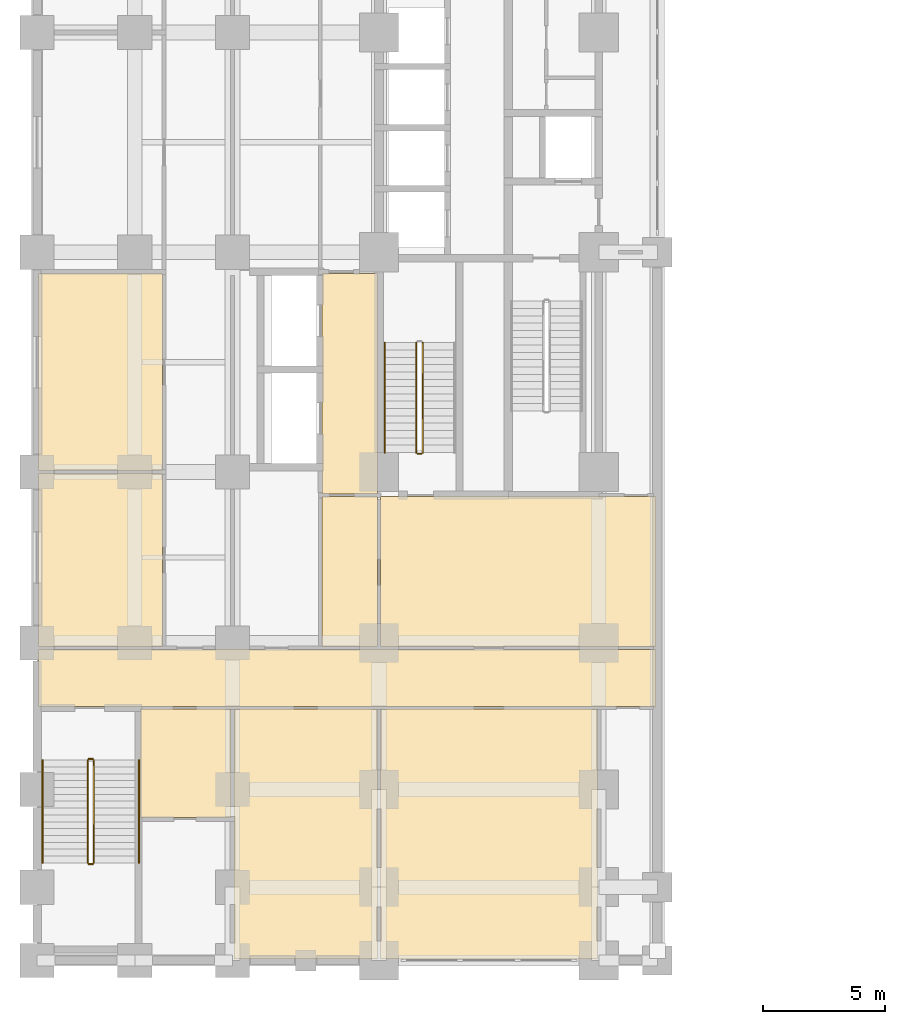
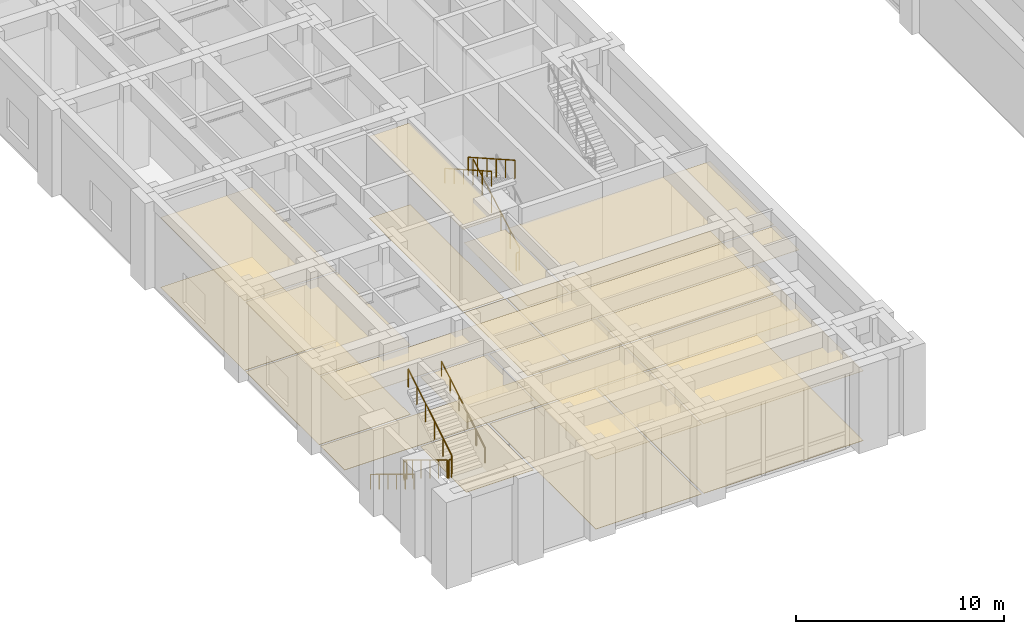
# One storey, part 16 of 21: 18 coverings, 10 railings.
"""IFC4 building model written with IfcOpenShell, lengths in metres."""

from ifc_helpers import new_model, si_unit, direction, frame, origin, origin_2d, place, context, subcontext, project, spatial, polyline, rectangle, outline, extrude, material, layer, layer_set, type_object, element, save


model = new_model("IFC4")

# Units and contexts
model_context = context("Model", 3, precision=1e-05, world=origin(), true_north=direction((0.0, 1.0)))
body_context = subcontext(model_context, "Body", "Model", "MODEL_VIEW")
ifc_project = project(units=[si_unit("LENGTHUNIT", "METRE"), si_unit("AREAUNIT", "SQUARE_METRE"), si_unit("VOLUMEUNIT", "CUBIC_METRE"), si_unit("PLANEANGLEUNIT", "RADIAN"), si_unit("MASSUNIT", "GRAM", prefix="KILO")], contexts=[model_context])

# Site, building, storey
site_placement = place(None, origin())
site = spatial("IfcSite", under=ifc_project, at=site_placement, CompositionType="ELEMENT")
building_placement = place(site_placement, origin())
building = spatial("IfcBuilding", under=site, at=building_placement, Name="Zulmaris Gate Convention Tower", CompositionType="ELEMENT")
storey_placement = place(building_placement, frame((0.0, 0.0, 5.43994140625)))
storey = spatial("IfcBuildingStorey", under=building, at=storey_placement, Name="L01", CompositionType="ELEMENT", Elevation=5.43994140625)

# Coverings
ifc_material_1 = material(Name="Mineral Fibre Acoustic Ceiling Tile")
ifc_layer_1 = layer(ifc_material_1, 0.02001953125, Name="Mineral Fibre Acoustic Ceiling Tile")
ifc_layer_set_1 = layer_set([ifc_layer_1], Name="Mineral Fibre Acoustic Ceiling Tile")
covering_type_1 = type_object("IfcCoveringType", Name="CLG-ACOUSTIC-600", PredefinedType="CEILING", material=ifc_layer_set_1)
covering_1_placement = place(storey_placement, frame((0.0, 0.0, 4.81005859375)))
element("IfcCovering", 1, at=covering_1_placement, inside=storey, type_object=covering_type_1, Name="CLG-L01-R34", PredefinedType="CEILING", context=body_context, shape_type="SweptSolid", body=[
    extrude(outline(polyline([(-22.340087890625, -9.889892578125), (-20.06005859375, -9.889892578125), (-20.06005859375, -0.860107421875), (-22.340087890625, -0.860107421875), (-22.340087890625, -9.889892578125)])), origin(), (0.0, 0.0, 1.0), 0.02001953125),
])
covering_2_placement = place(storey_placement, frame((0.0, 0.0, 4.099853515625)))
element("IfcCovering", 2, at=covering_2_placement, inside=storey, type_object=covering_type_1, Name="CLG-L01-R50", PredefinedType="CEILING", context=body_context, shape_type="SweptSolid", body=[
    extrude(outline(polyline([(-22.340087890625, -16.139892578125), (-20.06005859375, -16.139892578125), (-20.06005859375, -10.010009765625), (-22.340087890625, -10.010009765625), (-22.340087890625, -16.139892578125)])), origin(), (0.0, 0.0, 1.0), 0.02001953125),
])
covering_3_placement = place(storey_placement, frame((0.0, 0.0, 4.099853515625)))
element("IfcCovering", 3, at=covering_3_placement, inside=storey, type_object=covering_type_1, Name="CLG-L01-R53", PredefinedType="CEILING", context=body_context, shape_type="SweptSolid", body=[
    extrude(outline(polyline([(-33.93994140625, -18.590087890625), (-8.659912109375, -18.590087890625), (-8.659912109375, -16.260009765625), (-33.93994140625, -16.260009765625), (-33.93994140625, -18.590087890625)])), origin(), (0.0, 0.0, 1.0), 0.02001953125),
])
covering_4_placement = place(storey_placement, frame((0.0, 0.0, 4.099853515625)))
element("IfcCovering", 4, at=covering_4_placement, inside=storey, type_object=covering_type_1, Name="CLG-L01-R55", PredefinedType="CEILING", context=body_context, shape_type="SweptSolid", body=[
    extrude(outline(polyline([(-19.93994140625, -16.139892578125), (-8.659912109375, -16.139892578125), (-8.659912109375, -10.010009765625), (-19.93994140625, -10.010009765625), (-19.93994140625, -16.139892578125)])), origin(), (0.0, 0.0, 1.0), 0.02001953125),
])
covering_5_placement = place(storey_placement, frame((0.0, 0.0, 4.099853515625)))
element("IfcCovering", 5, at=covering_5_placement, inside=storey, type_object=covering_type_1, Name="CLG-L01-R71", PredefinedType="CEILING", context=body_context, shape_type="SweptSolid", body=[
    extrude(outline(polyline([(-33.93994140625, -16.139892578125), (-28.860107421875, -16.139892578125), (-28.860107421875, -9.06005859375), (-33.93994140625, -9.06005859375), (-33.93994140625, -16.139892578125)])), origin(), (0.0, 0.0, 1.0), 0.02001953125),
])
covering_6_placement = place(storey_placement, frame((0.0, 0.0, 4.099853515625)))
element("IfcCovering", 6, at=covering_6_placement, inside=storey, type_object=covering_type_1, Name="CLG-L01-R72", PredefinedType="CEILING", context=body_context, shape_type="SweptSolid", body=[
    extrude(outline(polyline([(-33.93994140625, -8.93994140625), (-28.860107421875, -8.93994140625), (-28.860107421875, -0.860107421875), (-33.93994140625, -0.860107421875), (-33.93994140625, -8.93994140625)])), origin(), (0.0, 0.0, 1.0), 0.02001953125),
])
covering_7_placement = place(storey_placement, frame((0.0, 0.0, 4.099853515625)))
element("IfcCovering", 7, at=covering_7_placement, inside=storey, type_object=covering_type_1, Name="CLG-L01-R81", PredefinedType="CEILING", context=body_context, shape_type="SweptSolid", body=[
    extrude(outline(polyline([(-29.7900390625, -23.139892578125), (-26.06005859375, -23.139892578125), (-26.06005859375, -18.7099609375), (-29.7900390625, -18.7099609375), (-29.7900390625, -23.139892578125)])), origin(), (0.0, 0.0, 1.0), 0.02001953125),
])
covering_8_placement = place(storey_placement, frame((0.0, 0.0, 4.099853515625)))
element("IfcCovering", 8, at=covering_8_placement, inside=storey, type_object=covering_type_1, Name="CLG-L01-R82", PredefinedType="CEILING", context=body_context, shape_type="SweptSolid", body=[
    extrude(outline(polyline([(-25.93994140625, -28.93994140625), (-20.06005859375, -28.93994140625), (-20.06005859375, -18.7099609375), (-25.93994140625, -18.7099609375), (-25.93994140625, -28.93994140625)])), origin(), (0.0, 0.0, 1.0), 0.02001953125),
])
covering_9_placement = place(storey_placement, frame((0.0, 0.0, 4.099853515625)))
element("IfcCovering", 9, at=covering_9_placement, inside=storey, type_object=covering_type_1, Name="CLG-L01-R83", PredefinedType="CEILING", context=body_context, shape_type="SweptSolid", body=[
    extrude(outline(polyline([(-19.93994140625, -28.93994140625), (-11.06005859375, -28.93994140625), (-11.06005859375, -18.7099609375), (-19.93994140625, -18.7099609375), (-19.93994140625, -28.93994140625)])), origin(), (0.0, 0.0, 1.0), 0.02001953125),
])
ifc_material_2 = material(Name="Woven Acoustic Wool Carpet Tile")
ifc_layer_2 = layer(ifc_material_2, 0.02001953125, Name="Woven Acoustic Wool Carpet Tile")
ifc_layer_set_2 = layer_set([ifc_layer_2], Name="Woven Acoustic Wool Carpet Tile")
covering_type_2 = type_object("IfcCoveringType", Name="FLR-CARPET-12", PredefinedType="FLOORING", material=ifc_layer_set_2)
covering_10_placement = place(storey_placement, origin())
element("IfcCovering", 10, at=covering_10_placement, inside=storey, type_object=covering_type_2, Name="FLR-L01-R34", PredefinedType="FLOORING", context=body_context, shape_type="SweptSolid", body=[
    extrude(outline(polyline([(-22.340087890625, -9.889892578125), (-20.06005859375, -9.889892578125), (-20.06005859375, -0.860107421875), (-22.340087890625, -0.860107421875), (-22.340087890625, -9.889892578125)])), origin(), (0.0, 0.0, 1.0), 0.02001953125),
])
covering_11_placement = place(storey_placement, origin())
element("IfcCovering", 11, at=covering_11_placement, inside=storey, type_object=covering_type_2, Name="FLR-L01-R50", PredefinedType="FLOORING", context=body_context, shape_type="SweptSolid", body=[
    extrude(outline(polyline([(-22.340087890625, -16.139892578125), (-20.06005859375, -16.139892578125), (-20.06005859375, -10.010009765625), (-22.340087890625, -10.010009765625), (-22.340087890625, -16.139892578125)])), origin(), (0.0, 0.0, 1.0), 0.02001953125),
])
covering_12_placement = place(storey_placement, origin())
element("IfcCovering", 12, at=covering_12_placement, inside=storey, type_object=covering_type_2, Name="FLR-L01-R53", PredefinedType="FLOORING", context=body_context, shape_type="SweptSolid", body=[
    extrude(outline(polyline([(-33.93994140625, -18.590087890625), (-8.659912109375, -18.590087890625), (-8.659912109375, -16.260009765625), (-33.93994140625, -16.260009765625), (-33.93994140625, -18.590087890625)])), origin(), (0.0, 0.0, 1.0), 0.02001953125),
])
covering_13_placement = place(storey_placement, origin())
element("IfcCovering", 13, at=covering_13_placement, inside=storey, type_object=covering_type_2, Name="FLR-L01-R55", PredefinedType="FLOORING", context=body_context, shape_type="SweptSolid", body=[
    extrude(outline(polyline([(-19.93994140625, -16.139892578125), (-8.659912109375, -16.139892578125), (-8.659912109375, -10.010009765625), (-19.93994140625, -10.010009765625), (-19.93994140625, -16.139892578125)])), origin(), (0.0, 0.0, 1.0), 0.02001953125),
])
covering_14_placement = place(storey_placement, origin())
element("IfcCovering", 14, at=covering_14_placement, inside=storey, type_object=covering_type_2, Name="FLR-L01-R81", PredefinedType="FLOORING", context=body_context, shape_type="SweptSolid", body=[
    extrude(outline(polyline([(-29.7900390625, -23.139892578125), (-26.06005859375, -23.139892578125), (-26.06005859375, -18.7099609375), (-29.7900390625, -18.7099609375), (-29.7900390625, -23.139892578125)])), origin(), (0.0, 0.0, 1.0), 0.02001953125),
])
ifc_material_3 = material(Name="Polished Granite Terrazzo Tile", Category="masonry")
ifc_layer_3 = layer(ifc_material_3, 0.02001953125, Name="Polished Granite Terrazzo Tile")
ifc_layer_set_3 = layer_set([ifc_layer_3], Name="Polished Granite Terrazzo Tile")
covering_type_3 = type_object("IfcCoveringType", Name="FLR-TERRAZZO-30", PredefinedType="FLOORING", material=ifc_layer_set_3)
covering_15_placement = place(storey_placement, origin())
element("IfcCovering", 15, at=covering_15_placement, inside=storey, type_object=covering_type_3, Name="FLR-L01-R83", PredefinedType="FLOORING", context=body_context, shape_type="SweptSolid", body=[
    extrude(outline(polyline([(-19.93994140625, -28.93994140625), (-11.06005859375, -28.93994140625), (-11.06005859375, -18.7099609375), (-19.93994140625, -18.7099609375), (-19.93994140625, -28.93994140625)])), origin(), (0.0, 0.0, 1.0), 0.02001953125),
])
ifc_material_4 = material(Name="Engineered Teak Parquet Flooring")
ifc_layer_4 = layer(ifc_material_4, 0.02001953125, Name="Engineered Teak Parquet Flooring")
ifc_layer_set_4 = layer_set([ifc_layer_4], Name="Engineered Teak Parquet Flooring")
covering_type_4 = type_object("IfcCoveringType", Name="FLR-TIMBER-18", PredefinedType="FLOORING", material=ifc_layer_set_4)
covering_16_placement = place(storey_placement, origin())
element("IfcCovering", 16, at=covering_16_placement, inside=storey, type_object=covering_type_4, Name="FLR-L01-R71", PredefinedType="FLOORING", context=body_context, shape_type="SweptSolid", body=[
    extrude(outline(polyline([(-33.93994140625, -16.139892578125), (-28.860107421875, -16.139892578125), (-28.860107421875, -9.06005859375), (-33.93994140625, -9.06005859375), (-33.93994140625, -16.139892578125)])), origin(), (0.0, 0.0, 1.0), 0.02001953125),
])
covering_17_placement = place(storey_placement, origin())
element("IfcCovering", 17, at=covering_17_placement, inside=storey, type_object=covering_type_4, Name="FLR-L01-R72", PredefinedType="FLOORING", context=body_context, shape_type="SweptSolid", body=[
    extrude(outline(polyline([(-33.93994140625, -8.93994140625), (-28.860107421875, -8.93994140625), (-28.860107421875, -0.860107421875), (-33.93994140625, -0.860107421875), (-33.93994140625, -8.93994140625)])), origin(), (0.0, 0.0, 1.0), 0.02001953125),
])
covering_18_placement = place(storey_placement, origin())
element("IfcCovering", 18, at=covering_18_placement, inside=storey, type_object=covering_type_4, Name="FLR-L01-R82", PredefinedType="FLOORING", context=body_context, shape_type="SweptSolid", body=[
    extrude(outline(polyline([(-25.93994140625, -28.93994140625), (-20.06005859375, -28.93994140625), (-20.06005859375, -18.7099609375), (-25.93994140625, -18.7099609375), (-25.93994140625, -28.93994140625)])), origin(), (0.0, 0.0, 1.0), 0.02001953125),
])

# Railings
ifc_material_5 = material(Name="Painted Galvanised Steel", Category="steel")
railing_type_1 = type_object("IfcRailingType", Name="RL-STG-1150", PredefinedType="GUARDRAIL", material=ifc_material_5)
railing_1_placement = place(storey_placement, frame((-18.2099609375, -8.199951171875, 0.169921875)))
element("IfcRailing", 19, at=railing_1_placement, inside=storey, type_object=railing_type_1, Name="L01 ST-3 stair guard 1", PredefinedType="GUARDRAIL", context=body_context, shape_type="SweptSolid", body=[
    extrude(rectangle(XDim=0.048095703125, YDim=0.048095703125, at=origin_2d()), frame((0.0, 0.0, 1.076171875), z_axis=(0.0, 0.870018136573, 0.493019717692), x_axis=(-1.0, 0.0, 0.0)), (0.0, 0.0, 1.0), 5.17236328125),
    extrude(rectangle(XDim=0.0419921875, YDim=0.0419921875, at=origin_2d()), origin(), (0.0, 0.0, 1.0), 1.052001953125),
    extrude(rectangle(XDim=0.0419921875, YDim=0.0419921875, at=origin_2d()), frame((0.0, 0.89990234375, 0.510009765625)), (0.0, 0.0, 1.0), 1.052001953125),
    extrude(rectangle(XDim=0.0419921875, YDim=0.0419921875, at=origin_2d()), frame((0.0, 1.800048828125, 1.02001953125)), (0.0, 0.0, 1.0), 1.052001953125),
    extrude(rectangle(XDim=0.0419921875, YDim=0.0419921875, at=origin_2d()), frame((0.0, 2.699951171875, 1.530029296875)), (0.0, 0.0, 1.0), 1.052001953125),
    extrude(rectangle(XDim=0.0419921875, YDim=0.0419921875, at=origin_2d()), frame((0.0, 3.60009765625, 2.0400390625)), (0.0, 0.0, 1.0), 1.052001953125),
    extrude(rectangle(XDim=0.0419921875, YDim=0.0419921875, at=origin_2d()), frame((0.0, 4.5, 2.550048828125)), (0.0, 0.0, 1.0), 1.052001953125),
])
railing_2_placement = place(storey_placement, frame((-18.469970703125, -3.699951171875, 2.889892578125)))
element("IfcRailing", 20, at=railing_2_placement, inside=storey, type_object=railing_type_1, Name="L01 ST-3 stair guard 3", PredefinedType="GUARDRAIL", context=body_context, shape_type="SweptSolid", body=[
    extrude(rectangle(XDim=0.048095703125, YDim=0.048095703125, at=origin_2d()), frame((0.0, 0.0, 1.076171875), z_axis=(0.0, -0.870018136573, 0.493019717692), x_axis=(1.0, 0.0, 0.0)), (0.0, 0.0, 1.0), 5.17236328125),
    extrude(rectangle(XDim=0.0419921875, YDim=0.0419921875, at=origin_2d()), origin(), (0.0, 0.0, 1.0), 1.052001953125),
    extrude(rectangle(XDim=0.0419921875, YDim=0.0419921875, at=origin_2d()), frame((0.0, -0.89990234375, 0.510009765625)), (0.0, 0.0, 1.0), 1.052001953125),
    extrude(rectangle(XDim=0.0419921875, YDim=0.0419921875, at=origin_2d()), frame((0.0, -1.800048828125, 1.02001953125)), (0.0, 0.0, 1.0), 1.052001953125),
    extrude(rectangle(XDim=0.0419921875, YDim=0.0419921875, at=origin_2d()), frame((0.0, -2.699951171875, 1.530029296875)), (0.0, 0.0, 1.0), 1.052001953125),
    extrude(rectangle(XDim=0.0419921875, YDim=0.0419921875, at=origin_2d()), frame((0.0, -3.60009765625, 2.0400390625)), (0.0, 0.0, 1.0), 1.052001953125),
    extrude(rectangle(XDim=0.0419921875, YDim=0.0419921875, at=origin_2d()), frame((0.0, -4.5, 2.550048828125)), (0.0, 0.0, 1.0), 1.052001953125),
])
railing_3_placement = place(storey_placement, frame((-18.260009765625, -8.25, 0.0)))
element("IfcRailing", 21, at=railing_3_placement, inside=storey, type_object=railing_type_1, Name="L01 ST-3 stair guard 4", PredefinedType="GUARDRAIL", context=body_context, shape_type="SweptSolid", body=[
    extrude(rectangle(XDim=0.048095703125, YDim=0.048095703125, at=origin_2d()), frame((0.0, 0.0, 1.076171875), z_axis=(-1.0, 0.0, 0.0), x_axis=(0.0, -1.0, 0.0)), (0.0, 0.0, 1.0), 0.159912109375),
    extrude(rectangle(XDim=0.0419921875, YDim=0.0419921875, at=origin_2d()), origin(), (0.0, 0.0, 1.0), 1.052001953125),
    extrude(rectangle(XDim=0.0419921875, YDim=0.0419921875, at=origin_2d()), frame((-0.159912109375, 0.0, 0.0)), (0.0, 0.0, 1.0), 1.052001953125),
])
railing_4_placement = place(storey_placement, frame((-31.929931640625, -20.800048828125, 0.169921875)))
element("IfcRailing", 22, at=railing_4_placement, inside=storey, type_object=railing_type_1, Name="L01 ST-4 stair guard 1", PredefinedType="GUARDRAIL", context=body_context, shape_type="SweptSolid", body=[
    extrude(rectangle(XDim=0.048095703125, YDim=0.048095703125, at=origin_2d()), frame((0.0, 0.0, 1.076171875), z_axis=(0.0, -0.854780430106, 0.518989803665), x_axis=(1.0, 0.0, 0.0)), (0.0, 0.0, 1.0), 4.91357421875),
    extrude(rectangle(XDim=0.0419921875, YDim=0.0419921875, at=origin_2d()), origin(), (0.0, 0.0, 1.0), 1.052001953125),
    extrude(rectangle(XDim=0.0419921875, YDim=0.0419921875, at=origin_2d()), frame((0.0, -0.840087890625, 0.510009765625)), (0.0, 0.0, 1.0), 1.052001953125),
    extrude(rectangle(XDim=0.0419921875, YDim=0.0419921875, at=origin_2d()), frame((0.0, -1.679931640625, 1.02001953125)), (0.0, 0.0, 1.0), 1.052001953125),
    extrude(rectangle(XDim=0.0419921875, YDim=0.0419921875, at=origin_2d()), frame((0.0, -2.52001953125, 1.530029296875)), (0.0, 0.0, 1.0), 1.052001953125),
    extrude(rectangle(XDim=0.0419921875, YDim=0.0419921875, at=origin_2d()), frame((0.0, -3.35986328125, 2.0400390625)), (0.0, 0.0, 1.0), 1.052001953125),
    extrude(rectangle(XDim=0.0419921875, YDim=0.0419921875, at=origin_2d()), frame((0.0, -4.199951171875, 2.550048828125)), (0.0, 0.0, 1.0), 1.052001953125),
])
railing_5_placement = place(storey_placement, frame((-31.8798828125, -25.050048828125, 2.719970703125)))
element("IfcRailing", 23, at=railing_5_placement, inside=storey, type_object=railing_type_1, Name="L01 ST-4 stair guard 2", PredefinedType="GUARDRAIL", context=body_context, shape_type="SweptSolid", body=[
    extrude(rectangle(XDim=0.048095703125, YDim=0.048095703125, at=origin_2d()), frame((0.0, 0.0, 1.076171875), z_axis=(1.0, 0.0, 0.0), x_axis=(0.0, 1.0, 0.0)), (0.0, 0.0, 1.0), 0.14990234375),
    extrude(rectangle(XDim=0.0419921875, YDim=0.0419921875, at=origin_2d()), origin(), (0.0, 0.0, 1.0), 1.052001953125),
    extrude(rectangle(XDim=0.0419921875, YDim=0.0419921875, at=origin_2d()), frame((0.14990234375, 0.0, 0.0)), (0.0, 0.0, 1.0), 1.052001953125),
])
railing_6_placement = place(storey_placement, frame((-31.679931640625, -25.0, 2.889892578125)))
element("IfcRailing", 24, at=railing_6_placement, inside=storey, type_object=railing_type_1, Name="L01 ST-4 stair guard 3", PredefinedType="GUARDRAIL", context=body_context, shape_type="SweptSolid", body=[
    extrude(rectangle(XDim=0.048095703125, YDim=0.048095703125, at=origin_2d()), frame((0.0, 0.0, 1.076171875), z_axis=(0.0, 0.854780430106, 0.518989803665), x_axis=(-1.0, 0.0, 0.0)), (0.0, 0.0, 1.0), 4.91357421875),
    extrude(rectangle(XDim=0.0419921875, YDim=0.0419921875, at=origin_2d()), origin(), (0.0, 0.0, 1.0), 1.052001953125),
    extrude(rectangle(XDim=0.0419921875, YDim=0.0419921875, at=origin_2d()), frame((0.0, 0.840087890625, 0.510009765625)), (0.0, 0.0, 1.0), 1.052001953125),
    extrude(rectangle(XDim=0.0419921875, YDim=0.0419921875, at=origin_2d()), frame((0.0, 1.679931640625, 1.02001953125)), (0.0, 0.0, 1.0), 1.052001953125),
    extrude(rectangle(XDim=0.0419921875, YDim=0.0419921875, at=origin_2d()), frame((0.0, 2.52001953125, 1.530029296875)), (0.0, 0.0, 1.0), 1.052001953125),
    extrude(rectangle(XDim=0.0419921875, YDim=0.0419921875, at=origin_2d()), frame((0.0, 3.35986328125, 2.0400390625)), (0.0, 0.0, 1.0), 1.052001953125),
    extrude(rectangle(XDim=0.0419921875, YDim=0.0419921875, at=origin_2d()), frame((0.0, 4.199951171875, 2.550048828125)), (0.0, 0.0, 1.0), 1.052001953125),
])
railing_7_placement = place(storey_placement, frame((-31.8798828125, -20.75, 0.0)))
element("IfcRailing", 25, at=railing_7_placement, inside=storey, type_object=railing_type_1, Name="L01 ST-4 stair guard 4", PredefinedType="GUARDRAIL", context=body_context, shape_type="SweptSolid", body=[
    extrude(rectangle(XDim=0.048095703125, YDim=0.048095703125, at=origin_2d()), frame((0.0, 0.0, 1.076171875), z_axis=(1.0, 0.0, 0.0), x_axis=(0.0, 1.0, 0.0)), (0.0, 0.0, 1.0), 0.14990234375),
    extrude(rectangle(XDim=0.0419921875, YDim=0.0419921875, at=origin_2d()), origin(), (0.0, 0.0, 1.0), 1.052001953125),
    extrude(rectangle(XDim=0.0419921875, YDim=0.0419921875, at=origin_2d()), frame((0.14990234375, 0.0, 0.0)), (0.0, 0.0, 1.0), 1.052001953125),
])
ifc_material_6 = material(Name="Brushed Stainless Steel", Category="steel")
railing_type_2 = type_object("IfcRailingType", Name="RL-STH-900", PredefinedType="HANDRAIL", material=ifc_material_6)
railing_8_placement = place(storey_placement, frame((-19.77001953125, -3.699951171875, 2.889892578125)))
element("IfcRailing", 26, at=railing_8_placement, inside=storey, type_object=railing_type_2, Name="L01 ST-3 stair handrail 2", PredefinedType="HANDRAIL", context=body_context, shape_type="SweptSolid", body=[
    extrude(rectangle(XDim=0.048095703125, YDim=0.048095703125, at=origin_2d()), frame((0.0, 0.0, 0.8759765625), z_axis=(0.0, -0.870018136573, 0.493019717692), x_axis=(1.0, 0.0, 0.0)), (0.0, 0.0, 1.0), 5.17236328125),
    extrude(rectangle(XDim=0.0419921875, YDim=0.0419921875, at=origin_2d()), origin(), (0.0, 0.0, 1.0), 0.851806640625),
    extrude(rectangle(XDim=0.0419921875, YDim=0.0419921875, at=origin_2d()), frame((0.0, -0.89990234375, 0.510009765625)), (0.0, 0.0, 1.0), 0.851806640625),
    extrude(rectangle(XDim=0.0419921875, YDim=0.0419921875, at=origin_2d()), frame((0.0, -1.800048828125, 1.02001953125)), (0.0, 0.0, 1.0), 0.851806640625),
    extrude(rectangle(XDim=0.0419921875, YDim=0.0419921875, at=origin_2d()), frame((0.0, -2.699951171875, 1.530029296875)), (0.0, 0.0, 1.0), 0.851806640625),
    extrude(rectangle(XDim=0.0419921875, YDim=0.0419921875, at=origin_2d()), frame((0.0, -3.60009765625, 2.0400390625)), (0.0, 0.0, 1.0), 0.851806640625),
    extrude(rectangle(XDim=0.0419921875, YDim=0.0419921875, at=origin_2d()), frame((0.0, -4.5, 2.550048828125)), (0.0, 0.0, 1.0), 0.851806640625),
])
railing_9_placement = place(storey_placement, frame((-33.780029296875, -20.800048828125, 0.169921875)))
element("IfcRailing", 27, at=railing_9_placement, inside=storey, type_object=railing_type_2, Name="L01 ST-4 stair handrail 1", PredefinedType="HANDRAIL", context=body_context, shape_type="SweptSolid", body=[
    extrude(rectangle(XDim=0.048095703125, YDim=0.048095703125, at=origin_2d()), frame((0.0, 0.0, 0.8759765625), z_axis=(0.0, -0.854780430106, 0.518989803665), x_axis=(1.0, 0.0, 0.0)), (0.0, 0.0, 1.0), 4.91357421875),
    extrude(rectangle(XDim=0.0419921875, YDim=0.0419921875, at=origin_2d()), origin(), (0.0, 0.0, 1.0), 0.851806640625),
    extrude(rectangle(XDim=0.0419921875, YDim=0.0419921875, at=origin_2d()), frame((0.0, -0.840087890625, 0.510009765625)), (0.0, 0.0, 1.0), 0.851806640625),
    extrude(rectangle(XDim=0.0419921875, YDim=0.0419921875, at=origin_2d()), frame((0.0, -1.679931640625, 1.02001953125)), (0.0, 0.0, 1.0), 0.851806640625),
    extrude(rectangle(XDim=0.0419921875, YDim=0.0419921875, at=origin_2d()), frame((0.0, -2.52001953125, 1.530029296875)), (0.0, 0.0, 1.0), 0.851806640625),
    extrude(rectangle(XDim=0.0419921875, YDim=0.0419921875, at=origin_2d()), frame((0.0, -3.35986328125, 2.0400390625)), (0.0, 0.0, 1.0), 0.851806640625),
    extrude(rectangle(XDim=0.0419921875, YDim=0.0419921875, at=origin_2d()), frame((0.0, -4.199951171875, 2.550048828125)), (0.0, 0.0, 1.0), 0.851806640625),
])
railing_10_placement = place(storey_placement, frame((-29.830078125, -25.0, 2.889892578125)))
element("IfcRailing", 28, at=railing_10_placement, inside=storey, type_object=railing_type_2, Name="L01 ST-4 stair handrail 2", PredefinedType="HANDRAIL", context=body_context, shape_type="SweptSolid", body=[
    extrude(rectangle(XDim=0.048095703125, YDim=0.048095703125, at=origin_2d()), frame((0.0, 0.0, 0.8759765625), z_axis=(0.0, 0.854780430106, 0.518989803665), x_axis=(-1.0, 0.0, 0.0)), (0.0, 0.0, 1.0), 4.91357421875),
    extrude(rectangle(XDim=0.0419921875, YDim=0.0419921875, at=origin_2d()), origin(), (0.0, 0.0, 1.0), 0.851806640625),
    extrude(rectangle(XDim=0.0419921875, YDim=0.0419921875, at=origin_2d()), frame((0.0, 0.840087890625, 0.510009765625)), (0.0, 0.0, 1.0), 0.851806640625),
    extrude(rectangle(XDim=0.0419921875, YDim=0.0419921875, at=origin_2d()), frame((0.0, 1.679931640625, 1.02001953125)), (0.0, 0.0, 1.0), 0.851806640625),
    extrude(rectangle(XDim=0.0419921875, YDim=0.0419921875, at=origin_2d()), frame((0.0, 2.52001953125, 1.530029296875)), (0.0, 0.0, 1.0), 0.851806640625),
    extrude(rectangle(XDim=0.0419921875, YDim=0.0419921875, at=origin_2d()), frame((0.0, 3.35986328125, 2.0400390625)), (0.0, 0.0, 1.0), 0.851806640625),
    extrude(rectangle(XDim=0.0419921875, YDim=0.0419921875, at=origin_2d()), frame((0.0, 4.199951171875, 2.550048828125)), (0.0, 0.0, 1.0), 0.851806640625),
])

save(model, "model.ifc")
